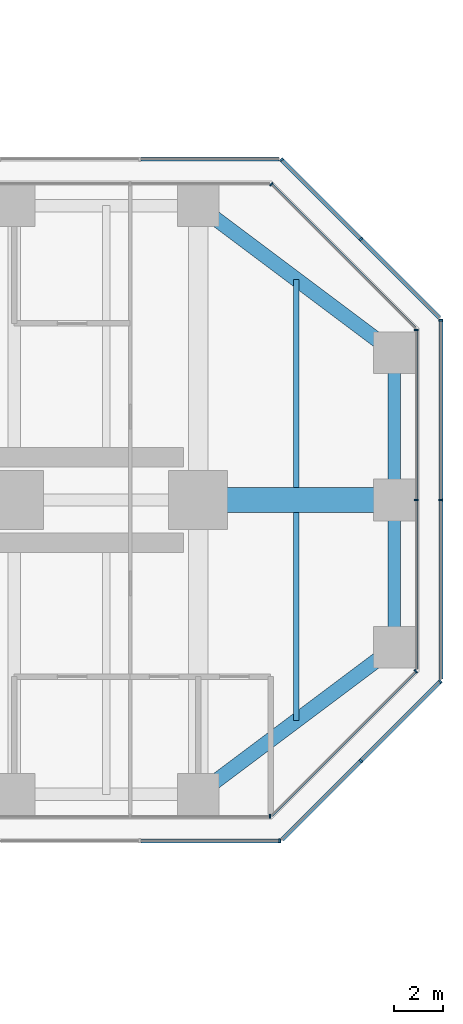
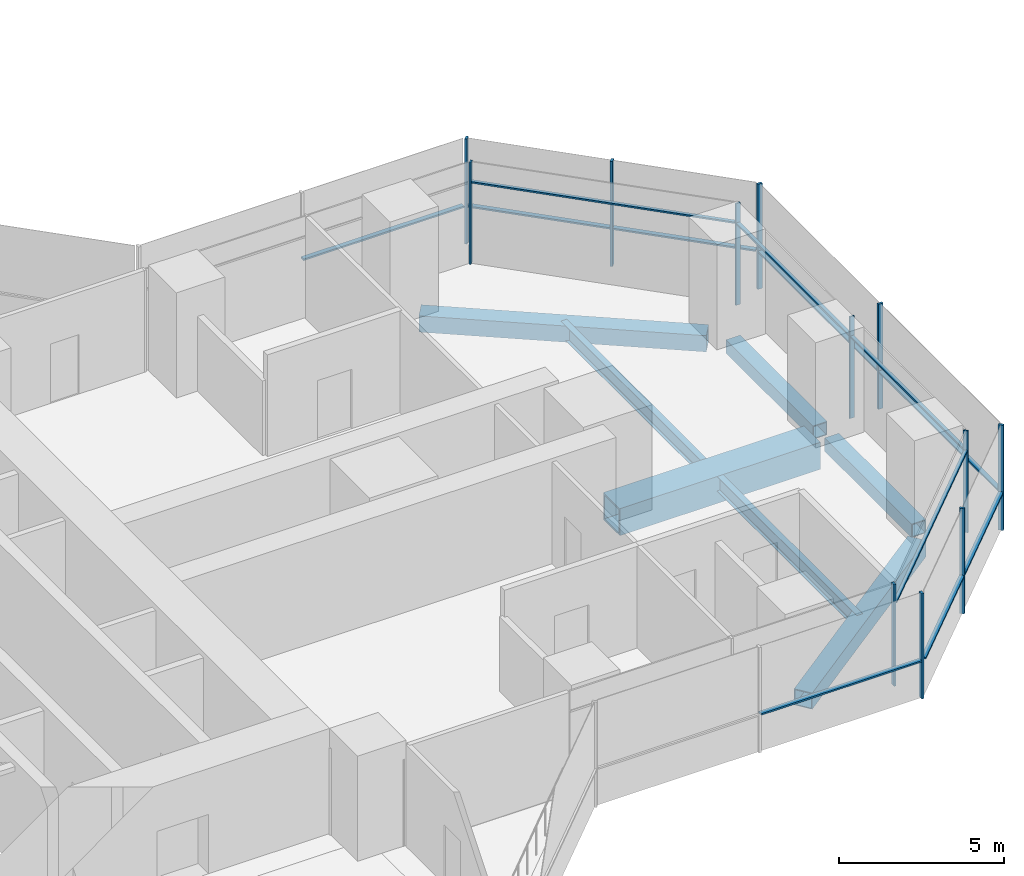
# One storey, part 12 of 22: 24 members, 7 beams, 9 elements without a shape of their own.
"""IFC4 building model written with IfcOpenShell, lengths in metres."""

from ifc_helpers import new_model, si_unit, direction, frame, origin, origin_2d, place, context, subcontext, project, spatial, rectangle, hollow_rectangle, i_section, extrude, material, material_profile, profile_set, type_object, element, aggregate, save


model = new_model("IFC4")

# Units and contexts
model_context = context("Model", 3, precision=1e-05, world=origin(), true_north=direction((0.0, 1.0)))
body_context = subcontext(model_context, "Body", "Model", "MODEL_VIEW")
ifc_project = project(units=[si_unit("LENGTHUNIT", "METRE"), si_unit("AREAUNIT", "SQUARE_METRE"), si_unit("VOLUMEUNIT", "CUBIC_METRE"), si_unit("PLANEANGLEUNIT", "RADIAN"), si_unit("MASSUNIT", "GRAM", prefix="KILO")], contexts=[model_context])

# Site, building, storey
site_placement = place(None, origin())
site = spatial("IfcSite", under=ifc_project, at=site_placement, CompositionType="ELEMENT")
building_placement = place(site_placement, origin())
building = spatial("IfcBuilding", under=site, at=building_placement, Name="Mizan Broadcast Tower", CompositionType="ELEMENT")
storey_placement = place(building_placement, frame((0.0, 0.0, 86.39990234375)))
storey = spatial("IfcBuildingStorey", under=building, at=storey_placement, Name="L18", CompositionType="ELEMENT", Elevation=86.39990234375)

# Beams
ifc_material_1 = material(Name="Steel S355", Category="steel")
ifc_material_profile_1 = material_profile(ifc_material_1, hollow_rectangle(XDim=0.5, YDim=0.5, WallThickness=0.030029296875, at=origin_2d()), Name="BOX 500x500x30")
ifc_profile_set_1 = profile_set([ifc_material_profile_1], Name="Steel S355")
beam_type_1 = type_object("IfcBeamType", Name="EDGE BEAM BOX 500x500x30", PredefinedType="SPANDREL", material=ifc_profile_set_1)
for number, where, z_axis, x_axis, name in (
    (1, (35.0, -5.639892578125, -0.3798828125), (0.0, 1.0, 0.0), (-1.0, 0.0, 0.0), "Edge beam BOX 500x500x30 L18 east arm"),
    (2, (35.0, 5.639892578125, -0.3798828125), (0.0, -1.0, 0.0), (1.0, 0.0, 0.0), "Edge beam BOX 500x500x30 L18 east arm"),
):
    element("IfcBeam", number, at=place(storey_placement, frame(where, z_axis=z_axis, x_axis=x_axis)), inside=storey, type_object=beam_type_1, Name=name, PredefinedType="SPANDREL", context=body_context, shape_type="SweptSolid", body=[
        extrude(hollow_rectangle(XDim=0.5, YDim=0.5, WallThickness=0.030029296875, at=origin_2d()), origin(), (0.0, 0.0, 1.0), 5.27978515625),
    ])
ifc_material_2 = material(Name="Steel S355", Category="steel")
ifc_material_profile_2 = material_profile(ifc_material_2, hollow_rectangle(XDim=0.60009765625, YDim=0.60009765625, WallThickness=0.030029296875, at=origin_2d()), Name="BOX 600x600x30")
ifc_profile_set_2 = profile_set([ifc_material_profile_2], Name="Steel S355")
beam_type_2 = type_object("IfcBeamType", Name="EDGE BEAM BOX 600x600x30", PredefinedType="SPANDREL", material=ifc_profile_set_2)
for number, where, z_axis, x_axis, name in (
    (3, (27.47998046875, -11.639892578125, -0.429931640625), (0.800013316712, 0.599982243973, 0.0), (-0.599982243973, 0.800013316712, 0.0), "Edge beam BOX 600x600x30 L18 east arm"),
    (4, (27.47998046875, 11.639892578125, -0.429931640625), (0.800013316712, -0.599982243973, 0.0), (0.599982243973, 0.800013316712, 0.0), "Edge beam BOX 600x600x30 L18 east arm"),
):
    element("IfcBeam", number, at=place(storey_placement, frame(where, z_axis=z_axis, x_axis=x_axis)), inside=storey, type_object=beam_type_2, Name=name, PredefinedType="SPANDREL", context=body_context, shape_type="SweptSolid", body=[
        extrude(hollow_rectangle(XDim=0.60009765625, YDim=0.60009765625, WallThickness=0.030029296875, at=origin_2d()), origin(), (0.0, 0.0, 1.0), 8.7998046875),
    ])
ifc_material_3 = material(Name="Steel S460", Category="steel")
ifc_material_profile_3 = material_profile(ifc_material_3, hollow_rectangle(XDim=1.0, YDim=1.0, WallThickness=0.06005859375, at=origin_2d()), Name="BOX 1000x1000x60")
ifc_profile_set_3 = profile_set([ifc_material_profile_3], Name="Steel S460")
beam_type_3 = type_object("IfcBeamType", Name="GIRDER BOX 1000x1000x60", PredefinedType="BEAM", material=ifc_profile_set_3)
beam_placement = place(storey_placement, frame((27.47998046875, 0.0, -0.6298828125), z_axis=(1.0, 0.0, 0.0), x_axis=(0.0, 1.0, 0.0)))
element("IfcBeam", 5, at=beam_placement, inside=storey, type_object=beam_type_3, Name="Girder BOX 1000x1000x60 L18 east arm", PredefinedType="BEAM", context=body_context, shape_type="SweptSolid", body=[
    extrude(hollow_rectangle(XDim=1.0, YDim=1.0, WallThickness=0.06005859375, at=origin_2d()), origin(), (0.0, 0.0, 1.0), 7.0400390625),
])

# Curtain wall, member
ifc_material_4 = material(Name="Aluminium framed glazing", Category="aluminium")
curtain_wall_type_1 = type_object("IfcCurtainWallType", Name="INNER SKIN LOW ZONE", PredefinedType="USERDEFINED", material=ifc_material_4)
curtain_wall_1_placement = place(storey_placement, origin())
curtain_wall_1 = element("IfcCurtainWall", 6, at=curtain_wall_1_placement, inside=storey, type_object=curtain_wall_type_1, Name="Inner skin low zone L18 E side", ObjectType="INNER SKIN LOW ZONE", PredefinedType="USERDEFINED")
ifc_material_5 = material(Name="Aluminium, pale anodised", Category="aluminium")
ifc_material_profile_4 = material_profile(ifc_material_5, rectangle(XDim=0.159912109375, YDim=0.06005859375, at=origin_2d()), Name="MULLION 160x60")
ifc_profile_set_4 = profile_set([ifc_material_profile_4], Name="Aluminium, pale anodised")
member_type_1 = type_object("IfcMemberType", Name="INNER SKIN MULLION 60x160", PredefinedType="MULLION", material=ifc_profile_set_4)
member_1_placement = place(storey_placement, frame((29.928466796875, -12.89990234375, 0.0), z_axis=(0.0, 0.0, 1.0), x_axis=(0.0, 1.0, 0.0)))
member_1 = element("IfcMember", 7, at=member_1_placement, type_object=member_type_1, Name="Inner skin low zone L18 E side mullion 3", PredefinedType="MULLION", context=body_context, shape_type="SweptSolid", body=[
    extrude(rectangle(XDim=0.159912109375, YDim=0.06005859375, at=origin_2d()), origin(), (0.0, 0.0, 1.0), 3.77001953125),
])
aggregate(curtain_wall_1, [member_1])

curtain_wall_2_placement = place(storey_placement, origin())
curtain_wall_2 = element("IfcCurtainWall", 8, at=curtain_wall_2_placement, inside=storey, type_object=curtain_wall_type_1, Name="Inner skin low zone L18 E chamfer", ObjectType="INNER SKIN LOW ZONE", PredefinedType="USERDEFINED")
member_2_placement = place(storey_placement, frame((35.87890625, -6.979736328125, 0.0), z_axis=(0.0, 0.0, 1.0), x_axis=(-0.707106781187, 0.707106781187, 0.0)))
member_2 = element("IfcMember", 9, at=member_2_placement, type_object=member_type_1, Name="Inner skin low zone L18 E chamfer mullion 2", PredefinedType="MULLION", context=body_context, shape_type="SweptSolid", body=[
    extrude(rectangle(XDim=0.159912109375, YDim=0.06005859375, at=origin_2d()), origin(), (0.0, 0.0, 1.0), 3.77001953125),
])

# Curtain wall, members
curtain_wall_3_placement = place(storey_placement, origin())
curtain_wall_3 = element("IfcCurtainWall", 10, at=curtain_wall_3_placement, inside=storey, type_object=curtain_wall_type_1, Name="Inner skin low zone L18 E end", ObjectType="INNER SKIN LOW ZONE", PredefinedType="USERDEFINED")
member_3_placement = place(storey_placement, frame((35.89990234375, 0.0, 0.0), z_axis=(0.0, 0.0, 1.0), x_axis=(-1.0, 0.0, 0.0)))
member_3 = element("IfcMember", 11, at=member_3_placement, type_object=member_type_1, Name="Inner skin low zone L18 E end mullion 2", PredefinedType="MULLION", context=body_context, shape_type="SweptSolid", body=[
    extrude(rectangle(XDim=0.159912109375, YDim=0.06005859375, at=origin_2d()), origin(), (0.0, 0.0, 1.0), 3.77001953125),
])
member_4_placement = place(storey_placement, frame((35.89990234375, 6.928466796875, 0.0), z_axis=(0.0, 0.0, 1.0), x_axis=(-1.0, 0.0, 0.0)))
member_4 = element("IfcMember", 12, at=member_4_placement, type_object=member_type_1, Name="Inner skin low zone L18 E end mullion 3", PredefinedType="MULLION", context=body_context, shape_type="SweptSolid", body=[
    extrude(rectangle(XDim=0.159912109375, YDim=0.06005859375, at=origin_2d()), origin(), (0.0, 0.0, 1.0), 3.77001953125),
])

# Curtain wall, member
curtain_wall_4_placement = place(storey_placement, origin())
curtain_wall_4 = element("IfcCurtainWall", 13, at=curtain_wall_4_placement, inside=storey, type_object=curtain_wall_type_1, Name="Inner skin low zone L18 E chamfer", ObjectType="INNER SKIN LOW ZONE", PredefinedType="USERDEFINED")
member_5_placement = place(storey_placement, frame((29.979736328125, 12.87890625, 0.0), z_axis=(0.0, 0.0, 1.0), x_axis=(-0.707106781187, -0.707106781187, 0.0)))
member_5 = element("IfcMember", 14, at=member_5_placement, type_object=member_type_1, Name="Inner skin low zone L18 E chamfer mullion 2", PredefinedType="MULLION", context=body_context, shape_type="SweptSolid", body=[
    extrude(rectangle(XDim=0.159912109375, YDim=0.06005859375, at=origin_2d()), origin(), (0.0, 0.0, 1.0), 3.77001953125),
])

# Member
ifc_material_6 = material(Name="Aluminium, pale anodised", Category="aluminium")
ifc_material_profile_5 = material_profile(ifc_material_6, rectangle(XDim=0.1201171875, YDim=0.06005859375, at=origin_2d()), Name="TRANSOM 120x60")
ifc_profile_set_5 = profile_set([ifc_material_profile_5], Name="Aluminium, pale anodised")
member_type_2 = type_object("IfcMemberType", Name="INNER SKIN TRANSOM 60x120", PredefinedType="USERDEFINED", material=ifc_profile_set_5)
member_6_placement = place(storey_placement, frame((30.0009765625, -12.857666015625, 3.030029296875), z_axis=(0.707106781187, 0.707106781187, 0.0), x_axis=(-0.707106781187, 0.707106781187, 0.0)))
member_6 = element("IfcMember", 15, at=member_6_placement, type_object=member_type_2, Name="Inner skin low zone L18 E chamfer transom 1.1", ObjectType="TRANSOM", PredefinedType="USERDEFINED", context=body_context, shape_type="SweptSolid", body=[
    extrude(rectangle(XDim=0.1201171875, YDim=0.06005859375, at=origin_2d()), origin(), (0.0, 0.0, 1.0), 8.28271484375),
])

aggregate(curtain_wall_2, [member_2, member_6])

member_7_placement = place(storey_placement, frame((35.89990234375, -6.898681640625, 3.030029296875), z_axis=(0.0, 1.0, 0.0), x_axis=(-1.0, 0.0, 0.0)))
member_7 = element("IfcMember", 16, at=member_7_placement, type_object=member_type_2, Name="Inner skin low zone L18 E end transom 1.1", ObjectType="TRANSOM", PredefinedType="USERDEFINED", context=body_context, shape_type="SweptSolid", body=[
    extrude(rectangle(XDim=0.1201171875, YDim=0.06005859375, at=origin_2d()), origin(), (0.0, 0.0, 1.0), 6.86865234375),
])

member_8_placement = place(storey_placement, frame((35.89990234375, 0.030029296875, 3.030029296875), z_axis=(0.0, 1.0, 0.0), x_axis=(-1.0, 0.0, 0.0)))
member_8 = element("IfcMember", 17, at=member_8_placement, type_object=member_type_2, Name="Inner skin low zone L18 E end transom 2.1", ObjectType="TRANSOM", PredefinedType="USERDEFINED", context=body_context, shape_type="SweptSolid", body=[
    extrude(rectangle(XDim=0.1201171875, YDim=0.06005859375, at=origin_2d()), origin(), (0.0, 0.0, 1.0), 6.86865234375),
])

aggregate(curtain_wall_3, [member_3, member_4, member_7, member_8])

member_9_placement = place(storey_placement, frame((35.857666015625, 7.0009765625, 3.030029296875), z_axis=(-0.707106781187, 0.707106781187, 0.0), x_axis=(-0.707106781187, -0.707106781187, 0.0)))
member_9 = element("IfcMember", 18, at=member_9_placement, type_object=member_type_2, Name="Inner skin low zone L18 E chamfer transom 1.1", ObjectType="TRANSOM", PredefinedType="USERDEFINED", context=body_context, shape_type="SweptSolid", body=[
    extrude(rectangle(XDim=0.1201171875, YDim=0.06005859375, at=origin_2d()), origin(), (0.0, 0.0, 1.0), 8.28271484375),
])

aggregate(curtain_wall_4, [member_5, member_9])

# Curtain wall, members
ifc_material_7 = material(Name="Aluminium framed glazing", Category="aluminium")
curtain_wall_type_2 = type_object("IfcCurtainWallType", Name="OUTER SKIN", PredefinedType="USERDEFINED", material=ifc_material_7)
curtain_wall_5_placement = place(storey_placement, origin())
curtain_wall_5 = element("IfcCurtainWall", 19, at=curtain_wall_5_placement, inside=storey, type_object=curtain_wall_type_2, Name="Outer skin L18 E chamfer", ObjectType="OUTER SKIN", PredefinedType="USERDEFINED")
ifc_material_8 = material(Name="Aluminium, pale anodised", Category="aluminium")
ifc_material_profile_6 = material_profile(ifc_material_8, rectangle(XDim=0.159912109375, YDim=0.080078125, at=origin_2d()), Name="MULLION 160x80")
ifc_profile_set_6 = profile_set([ifc_material_profile_6], Name="Aluminium, pale anodised")
member_type_3 = type_object("IfcMemberType", Name="OUTER SKIN MULLION 80x160", PredefinedType="MULLION", material=ifc_profile_set_6)
member_10_placement = place(storey_placement, frame((33.636474609375, -10.636474609375, 0.0), z_axis=(0.0, 0.0, 1.0), x_axis=(-0.707106781187, 0.707106781187, 0.0)))
member_10 = element("IfcMember", 20, at=member_10_placement, type_object=member_type_3, Name="Outer skin L18 E chamfer mullion 2", PredefinedType="MULLION", context=body_context, shape_type="SweptSolid", body=[
    extrude(rectangle(XDim=0.159912109375, YDim=0.080078125, at=origin_2d()), origin(), (0.0, 0.0, 1.0), 3.900146484375),
])
member_11_placement = place(storey_placement, frame((36.871826171875, -7.401123046875, 0.0), z_axis=(0.0, 0.0, 1.0), x_axis=(-0.707106781187, 0.707106781187, 0.0)))
member_11 = element("IfcMember", 21, at=member_11_placement, type_object=member_type_3, Name="Outer skin L18 E chamfer mullion 3", PredefinedType="MULLION", context=body_context, shape_type="SweptSolid", body=[
    extrude(rectangle(XDim=0.159912109375, YDim=0.080078125, at=origin_2d()), origin(), (0.0, 0.0, 1.0), 3.900146484375),
])

curtain_wall_6_placement = place(storey_placement, origin())
curtain_wall_6 = element("IfcCurtainWall", 22, at=curtain_wall_6_placement, inside=storey, type_object=curtain_wall_type_2, Name="Outer skin L18 E end", ObjectType="OUTER SKIN", PredefinedType="USERDEFINED")
member_12_placement = place(storey_placement, frame((36.89990234375, 0.0, 0.0), z_axis=(0.0, 0.0, 1.0), x_axis=(-1.0, 0.0, 0.0)))
member_12 = element("IfcMember", 23, at=member_12_placement, type_object=member_type_3, Name="Outer skin L18 E end mullion 2", PredefinedType="MULLION", context=body_context, shape_type="SweptSolid", body=[
    extrude(rectangle(XDim=0.159912109375, YDim=0.080078125, at=origin_2d()), origin(), (0.0, 0.0, 1.0), 3.900146484375),
])
member_13_placement = place(storey_placement, frame((36.89990234375, 7.332763671875, 0.0), z_axis=(0.0, 0.0, 1.0), x_axis=(-1.0, 0.0, 0.0)))
member_13 = element("IfcMember", 24, at=member_13_placement, type_object=member_type_3, Name="Outer skin L18 E end mullion 3", PredefinedType="MULLION", context=body_context, shape_type="SweptSolid", body=[
    extrude(rectangle(XDim=0.159912109375, YDim=0.080078125, at=origin_2d()), origin(), (0.0, 0.0, 1.0), 3.900146484375),
])

curtain_wall_7_placement = place(storey_placement, origin())
curtain_wall_7 = element("IfcCurtainWall", 25, at=curtain_wall_7_placement, inside=storey, type_object=curtain_wall_type_2, Name="Outer skin L18 E chamfer", ObjectType="OUTER SKIN", PredefinedType="USERDEFINED")
member_14_placement = place(storey_placement, frame((33.636474609375, 10.636474609375, 0.0), z_axis=(0.0, 0.0, 1.0), x_axis=(-0.707106781187, -0.707106781187, 0.0)))
member_14 = element("IfcMember", 26, at=member_14_placement, type_object=member_type_3, Name="Outer skin L18 E chamfer mullion 2", PredefinedType="MULLION", context=body_context, shape_type="SweptSolid", body=[
    extrude(rectangle(XDim=0.159912109375, YDim=0.080078125, at=origin_2d()), origin(), (0.0, 0.0, 1.0), 3.900146484375),
])
member_15_placement = place(storey_placement, frame((30.401123046875, 13.871826171875, 0.0), z_axis=(0.0, 0.0, 1.0), x_axis=(-0.707106781187, -0.707106781187, 0.0)))
member_15 = element("IfcMember", 27, at=member_15_placement, type_object=member_type_3, Name="Outer skin L18 E chamfer mullion 3", PredefinedType="MULLION", context=body_context, shape_type="SweptSolid", body=[
    extrude(rectangle(XDim=0.159912109375, YDim=0.080078125, at=origin_2d()), origin(), (0.0, 0.0, 1.0), 3.900146484375),
])

# Curtain wall, member
curtain_wall_8_placement = place(storey_placement, origin())
curtain_wall_8 = element("IfcCurtainWall", 28, at=curtain_wall_8_placement, inside=storey, type_object=curtain_wall_type_2, Name="Outer skin L18 E side", ObjectType="OUTER SKIN", PredefinedType="USERDEFINED")
member_16_placement = place(storey_placement, frame((30.332763671875, -13.89990234375, 0.0), z_axis=(0.0, 0.0, 1.0), x_axis=(0.0, 1.0, 0.0)))
member_16 = element("IfcMember", 29, at=member_16_placement, type_object=member_type_3, Name="Outer skin L18 E side mullion 3", PredefinedType="MULLION", context=body_context, shape_type="SweptSolid", body=[
    extrude(rectangle(XDim=0.159912109375, YDim=0.080078125, at=origin_2d()), origin(), (0.0, 0.0, 1.0), 3.900146484375),
])

# Member
ifc_material_9 = material(Name="Aluminium, pale anodised", Category="aluminium")
ifc_material_profile_7 = material_profile(ifc_material_9, rectangle(XDim=0.159912109375, YDim=0.06005859375, at=origin_2d()), Name="TRANSOM 160x60")
ifc_profile_set_7 = profile_set([ifc_material_profile_7], Name="Aluminium, pale anodised")
member_type_4 = type_object("IfcMemberType", Name="OUTER SKIN TRANSOM 60x160", PredefinedType="USERDEFINED", material=ifc_profile_set_7)
member_17_placement = place(storey_placement, frame((30.429443359375, -13.843505859375, 1.400146484375), z_axis=(0.707106781187, 0.707106781187, 0.0), x_axis=(-0.707106781187, 0.707106781187, 0.0)))
member_17 = element("IfcMember", 30, at=member_17_placement, type_object=member_type_4, Name="Outer skin L18 E chamfer transom 1.1", ObjectType="TRANSOM", PredefinedType="USERDEFINED", context=body_context, shape_type="SweptSolid", body=[
    extrude(rectangle(XDim=0.159912109375, YDim=0.06005859375, at=origin_2d()), origin(), (0.0, 0.0, 1.0), 4.495361328125),
])

member_18_placement = place(storey_placement, frame((33.664794921875, -10.608154296875, 1.400146484375), z_axis=(0.707106781187, 0.707106781187, 0.0), x_axis=(-0.707106781187, 0.707106781187, 0.0)))
member_18 = element("IfcMember", 31, at=member_18_placement, type_object=member_type_4, Name="Outer skin L18 E chamfer transom 2.1", ObjectType="TRANSOM", PredefinedType="USERDEFINED", context=body_context, shape_type="SweptSolid", body=[
    extrude(rectangle(XDim=0.159912109375, YDim=0.06005859375, at=origin_2d()), origin(), (0.0, 0.0, 1.0), 4.495361328125),
])

aggregate(curtain_wall_5, [member_10, member_11, member_17, member_18])

member_19_placement = place(storey_placement, frame((36.89990234375, -7.292724609375, 1.400146484375), z_axis=(0.0, 1.0, 0.0), x_axis=(-1.0, 0.0, 0.0)))
member_19 = element("IfcMember", 32, at=member_19_placement, type_object=member_type_4, Name="Outer skin L18 E end transom 1.1", ObjectType="TRANSOM", PredefinedType="USERDEFINED", context=body_context, shape_type="SweptSolid", body=[
    extrude(rectangle(XDim=0.159912109375, YDim=0.06005859375, at=origin_2d()), origin(), (0.0, 0.0, 1.0), 7.252685546875),
])

member_20_placement = place(storey_placement, frame((36.89990234375, 0.0400390625, 1.400146484375), z_axis=(0.0, 1.0, 0.0), x_axis=(-1.0, 0.0, 0.0)))
member_20 = element("IfcMember", 33, at=member_20_placement, type_object=member_type_4, Name="Outer skin L18 E end transom 2.1", ObjectType="TRANSOM", PredefinedType="USERDEFINED", context=body_context, shape_type="SweptSolid", body=[
    extrude(rectangle(XDim=0.159912109375, YDim=0.06005859375, at=origin_2d()), origin(), (0.0, 0.0, 1.0), 7.252685546875),
])

aggregate(curtain_wall_6, [member_12, member_13, member_19, member_20])

member_21_placement = place(storey_placement, frame((36.843505859375, 7.429443359375, 1.400146484375), z_axis=(-0.707106781187, 0.707106781187, 0.0), x_axis=(-0.707106781187, -0.707106781187, 0.0)))
member_21 = element("IfcMember", 34, at=member_21_placement, type_object=member_type_4, Name="Outer skin L18 E chamfer transom 1.1", ObjectType="TRANSOM", PredefinedType="USERDEFINED", context=body_context, shape_type="SweptSolid", body=[
    extrude(rectangle(XDim=0.159912109375, YDim=0.06005859375, at=origin_2d()), origin(), (0.0, 0.0, 1.0), 4.495361328125),
])

member_22_placement = place(storey_placement, frame((33.608154296875, 10.664794921875, 1.400146484375), z_axis=(-0.707106781187, 0.707106781187, 0.0), x_axis=(-0.707106781187, -0.707106781187, 0.0)))
member_22 = element("IfcMember", 35, at=member_22_placement, type_object=member_type_4, Name="Outer skin L18 E chamfer transom 2.1", ObjectType="TRANSOM", PredefinedType="USERDEFINED", context=body_context, shape_type="SweptSolid", body=[
    extrude(rectangle(XDim=0.159912109375, YDim=0.06005859375, at=origin_2d()), origin(), (0.0, 0.0, 1.0), 4.495361328125),
])

aggregate(curtain_wall_7, [member_14, member_15, member_21, member_22])

# Curtain wall, member
curtain_wall_9_placement = place(storey_placement, origin())
curtain_wall_9 = element("IfcCurtainWall", 36, at=curtain_wall_9_placement, inside=storey, type_object=curtain_wall_type_2, Name="Outer skin L18 E side", ObjectType="OUTER SKIN", PredefinedType="USERDEFINED")
member_23_placement = place(storey_placement, frame((30.292724609375, 13.89990234375, 1.400146484375), z_axis=(-1.0, 0.0, 0.0), x_axis=(0.0, -1.0, 0.0)))
member_23 = element("IfcMember", 37, at=member_23_placement, type_object=member_type_4, Name="Outer skin L18 E side transom 1.1", ObjectType="TRANSOM", PredefinedType="USERDEFINED", context=body_context, shape_type="SweptSolid", body=[
    extrude(rectangle(XDim=0.159912109375, YDim=0.06005859375, at=origin_2d()), origin(), (0.0, 0.0, 1.0), 5.6298828125),
])
aggregate(curtain_wall_9, [member_23])

# Member
member_24_placement = place(storey_placement, frame((24.662841796875, -13.89990234375, 1.400146484375), z_axis=(1.0, 0.0, 0.0), x_axis=(0.0, 1.0, 0.0)))
member_24 = element("IfcMember", 38, at=member_24_placement, type_object=member_type_4, Name="Outer skin L18 E side transom 2.1", ObjectType="TRANSOM", PredefinedType="USERDEFINED", context=body_context, shape_type="SweptSolid", body=[
    extrude(rectangle(XDim=0.159912109375, YDim=0.06005859375, at=origin_2d()), origin(), (0.0, 0.0, 1.0), 5.6298828125),
])

aggregate(curtain_wall_8, [member_16, member_24])

# Beams
ifc_material_10 = material(Name="Steel S355", Category="steel")
ifc_material_profile_8 = material_profile(ifc_material_10, i_section(OverallWidth=0.2099609375, OverallDepth=0.550048828125, WebThickness=0.010986328125, FlangeThickness=0.01708984375, FilletRadius=0.02392578125, at=origin_2d()), Name="IPE 550")
ifc_profile_set_8 = profile_set([ifc_material_profile_8], Name="Steel S355")
beam_type_4 = type_object("IfcBeamType", Name="SECONDARY BEAM IPE 550", PredefinedType="JOIST", material=ifc_profile_set_8)
for number, where, z_axis, x_axis, name in (
    (39, (31.0, -9.0, -0.40478515625), (0.0, 1.0, 0.0), (-1.0, 0.0, 0.0), "Secondary beam IPE 550 L18 east arm"),
    (40, (31.0, 9.0, -0.40478515625), (0.0, -1.0, 0.0), (1.0, 0.0, 0.0), "Secondary beam IPE 550 L18 east arm"),
):
    element("IfcBeam", number, at=place(storey_placement, frame(where, z_axis=z_axis, x_axis=x_axis)), inside=storey, type_object=beam_type_4, Name=name, PredefinedType="JOIST", context=body_context, shape_type="SweptSolid", body=[
        extrude(i_section(OverallWidth=0.2099609375, OverallDepth=0.550048828125, WebThickness=0.010986328125, FlangeThickness=0.01708984375, FilletRadius=0.02392578125, at=origin_2d()), origin(), (0.0, 0.0, 1.0), 8.5),
    ])

save(model, "model.ifc")
